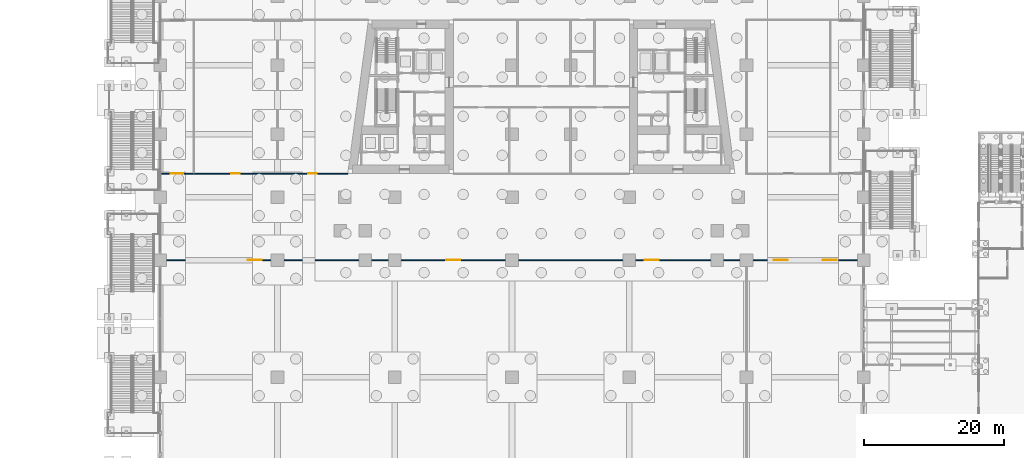
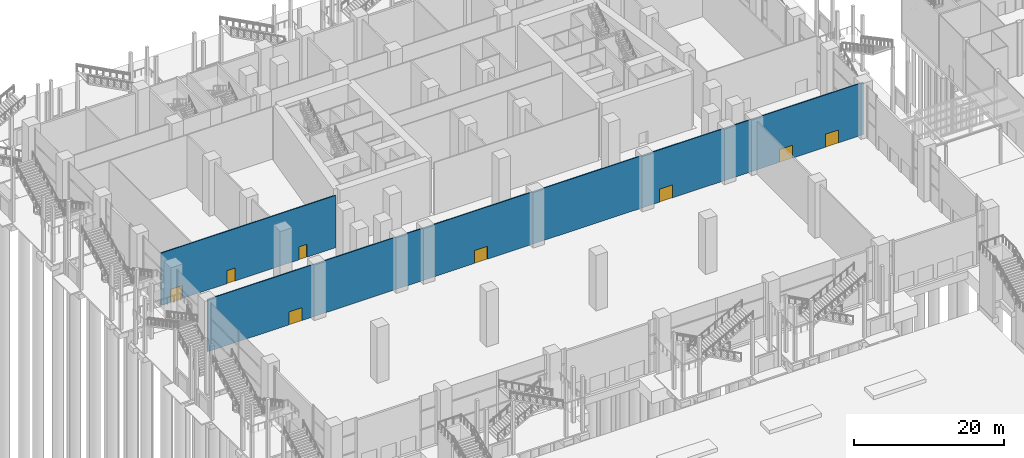
# One storey, part 40 of 72: 8 doors, 2 walls, 8 openings.
"""IFC4 building model written with IfcOpenShell, lengths in metres."""

import ifcopenshell
import ifcopenshell.guid

model = None  # the IFC model being written
_history = None  # IfcOwnerHistory: only IFC2X3 demands one
_inside = {}  # id of a spatial element -> (the spatial element, [elements in it])
_under = {}  # id of a project, library or spatial element -> (it, [spatial elements below it])
_declared = {}  # id of a project -> (the project, [libraries it declares])
_typed = {}  # id of a type object -> (the type object, [elements of that type])
_made_of = {}  # id of a material, layer set ... -> (it, [elements and type objects made of it])


def new_model(schema):
    """Start an empty IFC model of exactly this schema.

    Asked for "IFC4X3", IfcOpenShell would pick the latest addendum, in which some entities
    have other attributes; the version numbers below select the first issue.
    IFC2X3 requires an IfcOwnerHistory on every rooted entity: one is made here for all.
    """
    global model, _history
    if schema == "IFC4X3":
        model = ifcopenshell.file(schema_version=(4, 3, 0, 0))
    else:
        model = ifcopenshell.file(schema=schema)
    _inside.clear()
    _under.clear()
    _declared.clear()
    _typed.clear()
    _made_of.clear()
    _history = None
    if model.schema == "IFC2X3":
        org = make("IfcOrganization", Name="unknown")
        user = make(
            "IfcPersonAndOrganization",
            ThePerson=make("IfcPerson", FamilyName="unknown"),
            TheOrganization=org,
        )
        app = make(
            "IfcApplication",
            ApplicationDeveloper=org,
            Version="unknown",
            ApplicationFullName="unknown",
            ApplicationIdentifier="unknown",
        )
        _history = make(
            "IfcOwnerHistory",
            OwningUser=user,
            OwningApplication=app,
            ChangeAction="ADDED",
            CreationDate=0,
        )
    return model


def make(cls, **values):
    """One entity of the class cls with the attributes given. An attribute that is None is left unset."""
    return model.create_entity(
        cls, **{name: value for name, value in values.items() if value is not None}
    )


def rooted(cls, **values):
    """An entity with a GlobalId (a new one), such as an element, a storey or a relation."""
    return make(cls, GlobalId=ifcopenshell.guid.new(), OwnerHistory=_history, **values)


def si_unit(unit_type, name, prefix=None):
    """IfcSIUnit, for example si_unit("LENGTHUNIT", "METRE", prefix="MILLI")."""
    return make("IfcSIUnit", UnitType=unit_type, Prefix=prefix, Name=name)


def assignment(units):
    """IfcUnitAssignment: the units of a project."""
    return None if units is None else make("IfcUnitAssignment", Units=units)


def point(xyz):
    """IfcCartesianPoint."""
    return None if xyz is None else make("IfcCartesianPoint", Coordinates=xyz)


def direction(xyz):
    """IfcDirection."""
    return None if xyz is None else make("IfcDirection", DirectionRatios=xyz)


def frame(location, z_axis=None, x_axis=None):
    """IfcAxis2Placement3D, a coordinate frame: its origin and axes. An axis left out is left unset."""
    return make(
        "IfcAxis2Placement3D",
        Location=point(location),
        Axis=direction(z_axis),
        RefDirection=direction(x_axis),
    )


def frame_2d(location, x_axis=None):
    """IfcAxis2Placement2D, a coordinate frame in the plane: its origin and x axis."""
    return make(
        "IfcAxis2Placement2D", Location=point(location), RefDirection=direction(x_axis)
    )


def origin():
    """The frame at (0, 0, 0) with its axes left unset."""
    return frame((0.0, 0.0, 0.0))


def place(relative_to, where):
    """IfcLocalPlacement: puts the frame where relative to a parent placement (None: the world)."""
    return make(
        "IfcLocalPlacement", PlacementRelTo=relative_to, RelativePlacement=where
    )


def context(
    kind, dimensions, precision=None, world=None, true_north=None, identifier=None
):
    """IfcGeometricRepresentationContext, for example the 3D "Model" context."""
    return make(
        "IfcGeometricRepresentationContext",
        ContextIdentifier=identifier,
        ContextType=kind,
        CoordinateSpaceDimension=dimensions,
        Precision=precision,
        WorldCoordinateSystem=world,
        TrueNorth=true_north,
    )


def subcontext(parent, identifier, kind, view, scale=None):
    """IfcGeometricRepresentationSubContext, for example "Body" below "Model"."""
    return make(
        "IfcGeometricRepresentationSubContext",
        ContextIdentifier=identifier,
        ContextType=kind,
        ParentContext=parent,
        TargetScale=scale,
        TargetView=view,
    )


def project(units=None, contexts=None):
    """IfcProject with its units and contexts."""
    return rooted(
        "IfcProject",
        Name="project",
        RepresentationContexts=contexts,
        UnitsInContext=assignment(units),
    )


def spatial(cls, under=None, at=None, **own):
    """A site, building, storey or space (cls), placed at a placement, below another one or the project."""
    s = rooted(cls, ObjectPlacement=at, **own)
    if under is not None:
        _under.setdefault(under.id(), (under, []))[1].append(s)
    return s


def profile(cls, at=None, kind="AREA", **sizes):
    """A parametric profile (cls). Its sizes go by their IFC names, for example OverallWidth=200.0."""
    return make(cls, ProfileType=kind, Position=at, **sizes)


def rectangle(**sizes):
    """IfcRectangleProfileDef."""
    return profile("IfcRectangleProfileDef", **sizes)


def extrude(swept, where, along, depth):
    """IfcExtrudedAreaSolid: the profile swept, set in the frame where, extruded along a direction by depth."""
    return make(
        "IfcExtrudedAreaSolid",
        SweptArea=swept,
        Position=where,
        ExtrudedDirection=direction(along),
        Depth=depth,
    )


def shape(context_of_items, identifier, shape_type, items):
    """IfcShapeRepresentation: the items that make up one representation, for example the "Body"."""
    return make(
        "IfcShapeRepresentation",
        ContextOfItems=context_of_items,
        RepresentationIdentifier=identifier,
        RepresentationType=shape_type,
        Items=items,
    )


def material(Name=None, Category=None):
    """IfcMaterial."""
    return make("IfcMaterial", Name=Name, Category=Category)


def layer(
    of_material, thickness, ventilated=None, Name=None, Category=None, Priority=None
):
    """IfcMaterialLayer: one layer of a wall or slab, of a material (None: an air gap)."""
    return make(
        "IfcMaterialLayer",
        Material=of_material,
        LayerThickness=thickness,
        IsVentilated=ventilated,
        Name=Name,
        Category=Category,
        Priority=Priority,
    )


def layer_set(layers, Name=None):
    """IfcMaterialLayerSet."""
    return make("IfcMaterialLayerSet", MaterialLayers=layers, LayerSetName=Name)


def made_of(thing, what):
    """Note that an element or type object is made of a material, layer set ...; save() writes the relation."""
    if what is not None:
        _made_of.setdefault(what.id(), (what, []))[1].append(thing)
    return thing


def type_object(cls, material=None, **own):
    """A type object (cls), such as IfcWallType, which elements share."""
    return made_of(rooted(cls, **own), material)


def element(
    cls,
    number,
    at=None,
    inside=None,
    cuts=None,
    type_object=None,
    material=None,
    context=None,
    identifier="Body",
    shape_type=None,
    held_by="IfcProductDefinitionShape",
    body=None,
    shapes=None,
    **own,
):
    """One element of the class cls, such as IfcWall. Its Tag is "e" and its number.

    at: its placement. inside: the storey or other place that contains it. cuts: it is an
    opening in that element (IfcRelVoidsElement). A single representation is given by context,
    identifier, shape_type and body (its items); several are given by shapes. held_by: the class
    of the entity that holds the representations. save() writes the other relations.
    """
    e = rooted(cls, Tag="e%d" % number, ObjectPlacement=at, **own)
    if body is not None:
        shapes = [shape(context, identifier, shape_type, body)]
    if shapes is not None:
        e.Representation = make(held_by, Representations=shapes)
    if inside is not None:
        _inside.setdefault(inside.id(), (inside, []))[1].append(e)
    if cuts is not None:
        rooted(
            "IfcRelVoidsElement", RelatingBuildingElement=cuts, RelatedOpeningElement=e
        )
    if type_object is not None:
        _typed.setdefault(type_object.id(), (type_object, []))[1].append(e)
    return made_of(e, material)


def fill(opening, filler):
    """IfcRelFillsElement: the door or window that sits in an opening."""
    return rooted(
        "IfcRelFillsElement",
        RelatingOpeningElement=opening,
        RelatedBuildingElement=filler,
    )


def aggregate(whole, parts):
    """IfcRelAggregates: a whole, such as a stair, and the parts it consists of."""
    return rooted("IfcRelAggregates", RelatingObject=whole, RelatedObjects=parts)


def save(model, path):
    """Write the relations noted so far, then the file.

    IfcRelAggregates (storeys below a building ...), IfcRelContainedInSpatialStructure (elements
    in a storey), IfcRelDefinesByType, IfcRelAssociatesMaterial and IfcRelDeclares: one each for
    every whole, place, type object, material and project.
    """
    for whole, parts in _under.values():
        aggregate(whole, parts)
    for where, things in _inside.values():
        rooted(
            "IfcRelContainedInSpatialStructure",
            RelatedElements=things,
            RelatingStructure=where,
        )
    for kind, things in _typed.values():
        rooted("IfcRelDefinesByType", RelatedObjects=things, RelatingType=kind)
    for what, things in _made_of.values():
        rooted("IfcRelAssociatesMaterial", RelatedObjects=things, RelatingMaterial=what)
    for by, libraries in _declared.values():
        rooted("IfcRelDeclares", RelatingContext=by, RelatedDefinitions=libraries)
    model.write(path)


model = new_model("IFC4")

# Units and contexts
model_context = context("Model", 3, precision=1e-05, world=origin(), true_north=direction((0.0, 1.0)))
body_context = subcontext(model_context, "Body", "Model", "MODEL_VIEW")
ifc_project = project(units=[si_unit("LENGTHUNIT", "METRE"), si_unit("AREAUNIT", "SQUARE_METRE"), si_unit("VOLUMEUNIT", "CUBIC_METRE"), si_unit("PLANEANGLEUNIT", "RADIAN"), si_unit("MASSUNIT", "GRAM", prefix="KILO")], contexts=[model_context])

# Site, building, storey
site_placement = place(None, origin())
site = spatial("IfcSite", under=ifc_project, at=site_placement, CompositionType="ELEMENT")
building_placement = place(site_placement, origin())
building = spatial("IfcBuilding", under=site, at=building_placement, Name="Candeia Pilgrim Tower and Theatre", CompositionType="ELEMENT")
storey_placement = place(building_placement, origin())
storey = spatial("IfcBuildingStorey", under=building, at=storey_placement, Name="L00", CompositionType="ELEMENT", Elevation=0.0)

# Wall, openings, doors
ifc_material_1 = material(Name="Gypsum board partition on steel studs", Category="steel")
ifc_layer = layer(ifc_material_1, 0.14990234375)
ifc_layer_set = layer_set([ifc_layer], Name="PW-150 lobby wall")
wall_type = type_object("IfcWallType", Name="PW-150 lobby wall", PredefinedType="PARTITIONING", material=ifc_layer_set)
wall_1_placement = place(storey_placement, frame((58.85009765625, 98.0, 0.0), z_axis=(0.0, 0.0, 1.0), x_axis=(1.0, 0.0, 0.0)))
wall_1 = element("IfcWall", 1, at=wall_1_placement, inside=storey, type_object=wall_type, Name="Lobby wall L00-001", PredefinedType="PARTITIONING", context=body_context, shape_type="SweptSolid", body=[
    extrude(rectangle(XDim=100.699951171875, YDim=0.14990234375, at=frame_2d((50.35009765625, 0.0))), origin(), (0.0, 0.0, 1.0), 8.5),
])
opening_1_placement = place(wall_1_placement, frame((12.4951171875, 0.0, 0.0)))
opening_1 = element("IfcOpeningElement", 2, at=opening_1_placement, cuts=wall_1, Name="Opening L00-D001", PredefinedType="OPENING", context=body_context, shape_type="SweptSolid", body=[
    extrude(rectangle(XDim=2.0, YDim=2.10009765625, at=frame_2d((1.0, 1.050048828125))), frame((0.0, 0.0849609375, 0.0), z_axis=(0.0, -1.0, 0.0), x_axis=(1.0, 0.0, 0.0)), (0.0, 0.0, 1.0), 0.169921875),
])
opening_2_placement = place(wall_1_placement, frame((40.949951171875, 0.0, 0.0)))
opening_2 = element("IfcOpeningElement", 3, at=opening_2_placement, cuts=wall_1, Name="Opening L00-D002", PredefinedType="OPENING", context=body_context, shape_type="SweptSolid", body=[
    extrude(rectangle(XDim=2.0, YDim=2.10009765625, at=frame_2d((1.0, 1.050048828125))), frame((0.0, 0.0849609375, 0.0), z_axis=(0.0, -1.0, 0.0), x_axis=(1.0, 0.0, 0.0)), (0.0, 0.0, 1.0), 0.169921875),
])
opening_3_placement = place(wall_1_placement, frame((69.405029296875, 0.0, 0.0)))
opening_3 = element("IfcOpeningElement", 4, at=opening_3_placement, cuts=wall_1, Name="Opening L00-D003", PredefinedType="OPENING", context=body_context, shape_type="SweptSolid", body=[
    extrude(rectangle(XDim=2.0, YDim=2.10009765625, at=frame_2d((1.0, 1.050048828125))), frame((0.0, 0.0849609375, 0.0), z_axis=(0.0, -1.0, 0.0), x_axis=(1.0, 0.0, 0.0)), (0.0, 0.0, 1.0), 0.169921875),
])
opening_4_placement = place(wall_1_placement, frame((87.824951171875, 0.0, 0.0)))
opening_4 = element("IfcOpeningElement", 5, at=opening_4_placement, cuts=wall_1, Name="Opening L00-D004", PredefinedType="OPENING", context=body_context, shape_type="SweptSolid", body=[
    extrude(rectangle(XDim=2.0, YDim=2.10009765625, at=frame_2d((1.0, 1.050048828125))), frame((0.0, 0.0849609375, 0.0), z_axis=(0.0, -1.0, 0.0), x_axis=(1.0, 0.0, 0.0)), (0.0, 0.0, 1.0), 0.169921875),
])
opening_5_placement = place(wall_1_placement, frame((94.875, 0.0, 0.0)))
opening_5 = element("IfcOpeningElement", 6, at=opening_5_placement, cuts=wall_1, Name="Opening L00-D005", PredefinedType="OPENING", context=body_context, shape_type="SweptSolid", body=[
    extrude(rectangle(XDim=2.0, YDim=2.10009765625, at=frame_2d((1.0, 1.050048828125))), frame((0.0, 0.0849609375, 0.0), z_axis=(0.0, -1.0, 0.0), x_axis=(1.0, 0.0, 0.0)), (0.0, 0.0, 1.0), 0.169921875),
])
ifc_material_2 = material(Name="Steel exit door", Category="steel")
door_type_1 = type_object("IfcDoorType", Name="DX-2000-FD30S", OperationType="NOTDEFINED", PredefinedType="DOOR", material=ifc_material_2)
door_1_placement = place(opening_1_placement, origin())
door_1 = element("IfcDoor", 7, at=door_1_placement, inside=storey, type_object=door_type_1, Name="Door L00-D001", OperationType="SINGLE_SWING_LEFT", OverallHeight=2.10009765625, OverallWidth=2.0, PredefinedType="DOOR", context=body_context, shape_type="SweptSolid", body=[
    extrude(rectangle(XDim=2.0, YDim=2.10009765625, at=frame_2d((1.0, 1.050048828125))), frame((0.0, 0.02490234375, 0.0), z_axis=(0.0, -1.0, 0.0), x_axis=(1.0, 0.0, 0.0)), (0.0, 0.0, 1.0), 0.050048828125),
])
fill(opening_1, door_1)
door_2_placement = place(opening_2_placement, origin())
door_2 = element("IfcDoor", 8, at=door_2_placement, inside=storey, type_object=door_type_1, Name="Door L00-D002", OperationType="SINGLE_SWING_RIGHT", OverallHeight=2.10009765625, OverallWidth=2.0, PredefinedType="DOOR", context=body_context, shape_type="SweptSolid", body=[
    extrude(rectangle(XDim=2.0, YDim=2.10009765625, at=frame_2d((1.0, 1.050048828125))), frame((0.0, 0.02490234375, 0.0), z_axis=(0.0, -1.0, 0.0), x_axis=(1.0, 0.0, 0.0)), (0.0, 0.0, 1.0), 0.050048828125),
])
fill(opening_2, door_2)
door_3_placement = place(opening_3_placement, origin())
door_3 = element("IfcDoor", 9, at=door_3_placement, inside=storey, type_object=door_type_1, Name="Door L00-D003", OperationType="SINGLE_SWING_LEFT", OverallHeight=2.10009765625, OverallWidth=2.0, PredefinedType="DOOR", context=body_context, shape_type="SweptSolid", body=[
    extrude(rectangle(XDim=2.0, YDim=2.10009765625, at=frame_2d((1.0, 1.050048828125))), frame((0.0, 0.02490234375, 0.0), z_axis=(0.0, -1.0, 0.0), x_axis=(1.0, 0.0, 0.0)), (0.0, 0.0, 1.0), 0.050048828125),
])
fill(opening_3, door_3)
door_4_placement = place(opening_4_placement, origin())
door_4 = element("IfcDoor", 10, at=door_4_placement, inside=storey, type_object=door_type_1, Name="Door L00-D004", OperationType="SINGLE_SWING_RIGHT", OverallHeight=2.10009765625, OverallWidth=2.0, PredefinedType="DOOR", context=body_context, shape_type="SweptSolid", body=[
    extrude(rectangle(XDim=2.0, YDim=2.10009765625, at=frame_2d((1.0, 1.050048828125))), frame((0.0, 0.02490234375, 0.0), z_axis=(0.0, -1.0, 0.0), x_axis=(1.0, 0.0, 0.0)), (0.0, 0.0, 1.0), 0.050048828125),
])
fill(opening_4, door_4)
door_5_placement = place(opening_5_placement, origin())
door_5 = element("IfcDoor", 11, at=door_5_placement, inside=storey, type_object=door_type_1, Name="Door L00-D005", OperationType="SINGLE_SWING_LEFT", OverallHeight=2.10009765625, OverallWidth=2.0, PredefinedType="DOOR", context=body_context, shape_type="SweptSolid", body=[
    extrude(rectangle(XDim=2.0, YDim=2.10009765625, at=frame_2d((1.0, 1.050048828125))), frame((0.0, 0.02490234375, 0.0), z_axis=(0.0, -1.0, 0.0), x_axis=(1.0, 0.0, 0.0)), (0.0, 0.0, 1.0), 0.050048828125),
])
fill(opening_5, door_5)

wall_2_placement = place(storey_placement, frame((58.85009765625, 110.39990234375, 0.0), z_axis=(0.0, 0.0, 1.0), x_axis=(1.0, 0.0, 0.0)))
wall_2 = element("IfcWall", 12, at=wall_2_placement, inside=storey, type_object=wall_type, Name="Lobby wall L00-002", PredefinedType="PARTITIONING", context=body_context, shape_type="SweptSolid", body=[
    extrude(rectangle(XDim=26.81884765625, YDim=0.14990234375, at=frame_2d((13.409423828125, 0.0))), origin(), (0.0, 0.0, 1.0), 8.5),
])
opening_6_placement = place(wall_2_placement, frame((10.14990234375, 0.0, 0.0)))
opening_6 = element("IfcOpeningElement", 13, at=opening_6_placement, cuts=wall_2, Name="Opening L00-D006", PredefinedType="OPENING", context=body_context, shape_type="SweptSolid", body=[
    extrude(rectangle(XDim=1.199951171875, YDim=2.10009765625, at=frame_2d((0.60009765625, 1.050048828125))), frame((0.0, 0.0849609375, 0.0), z_axis=(0.0, -1.0, 0.0), x_axis=(1.0, 0.0, 0.0)), (0.0, 0.0, 1.0), 0.169921875),
])
opening_7_placement = place(wall_2_placement, frame((21.18505859375, 0.0, 0.0)))
opening_7 = element("IfcOpeningElement", 14, at=opening_7_placement, cuts=wall_2, Name="Opening L00-D007", PredefinedType="OPENING", context=body_context, shape_type="SweptSolid", body=[
    extrude(rectangle(XDim=1.199951171875, YDim=2.10009765625, at=frame_2d((0.60009765625, 1.050048828125))), frame((0.0, 0.0849609375, 0.0), z_axis=(0.0, -1.0, 0.0), x_axis=(1.0, 0.0, 0.0)), (0.0, 0.0, 1.0), 0.169921875),
])
opening_8_placement = place(wall_2_placement, frame((1.449951171875, 0.0, 0.0)))
opening_8 = element("IfcOpeningElement", 15, at=opening_8_placement, cuts=wall_2, Name="Opening L00-D028", PredefinedType="OPENING", context=body_context, shape_type="SweptSolid", body=[
    extrude(rectangle(XDim=1.800048828125, YDim=2.10009765625, at=frame_2d((0.89990234375, 1.050048828125))), frame((0.0, 0.0849609375, 0.0), z_axis=(0.0, -1.0, 0.0), x_axis=(1.0, 0.0, 0.0)), (0.0, 0.0, 1.0), 0.169921875),
])
ifc_material_3 = material(Name="Steel fire door set", Category="steel")
door_type_2 = type_object("IfcDoorType", Name="D-1200-FD30S", OperationType="NOTDEFINED", PredefinedType="DOOR", material=ifc_material_3)
door_6_placement = place(opening_6_placement, origin())
door_6 = element("IfcDoor", 16, at=door_6_placement, inside=storey, type_object=door_type_2, Name="Door L00-D006", OperationType="SINGLE_SWING_RIGHT", OverallHeight=2.10009765625, OverallWidth=1.199951171875, PredefinedType="DOOR", context=body_context, shape_type="SweptSolid", body=[
    extrude(rectangle(XDim=1.199951171875, YDim=2.10009765625, at=frame_2d((0.60009765625, 1.050048828125))), frame((0.0, 0.02490234375, 0.0), z_axis=(0.0, -1.0, 0.0), x_axis=(1.0, 0.0, 0.0)), (0.0, 0.0, 1.0), 0.050048828125),
])
fill(opening_6, door_6)
door_7_placement = place(opening_7_placement, origin())
door_7 = element("IfcDoor", 17, at=door_7_placement, inside=storey, type_object=door_type_2, Name="Door L00-D007", OperationType="SINGLE_SWING_LEFT", OverallHeight=2.10009765625, OverallWidth=1.199951171875, PredefinedType="DOOR", context=body_context, shape_type="SweptSolid", body=[
    extrude(rectangle(XDim=1.199951171875, YDim=2.10009765625, at=frame_2d((0.60009765625, 1.050048828125))), frame((0.0, 0.02490234375, 0.0), z_axis=(0.0, -1.0, 0.0), x_axis=(1.0, 0.0, 0.0)), (0.0, 0.0, 1.0), 0.050048828125),
])
fill(opening_7, door_7)
door_type_3 = type_object("IfcDoorType", Name="D-1800-FD60", OperationType="NOTDEFINED", PredefinedType="DOOR", material=ifc_material_3)
door_8_placement = place(opening_8_placement, origin())
door_8 = element("IfcDoor", 18, at=door_8_placement, inside=storey, type_object=door_type_3, Name="Door L00-D028", OperationType="SINGLE_SWING_RIGHT", OverallHeight=2.10009765625, OverallWidth=1.800048828125, PredefinedType="DOOR", context=body_context, shape_type="SweptSolid", body=[
    extrude(rectangle(XDim=1.800048828125, YDim=2.10009765625, at=frame_2d((0.89990234375, 1.050048828125))), frame((0.0, 0.02490234375, 0.0), z_axis=(0.0, -1.0, 0.0), x_axis=(1.0, 0.0, 0.0)), (0.0, 0.0, 1.0), 0.050048828125),
])
fill(opening_8, door_8)

save(model, "model.ifc")
